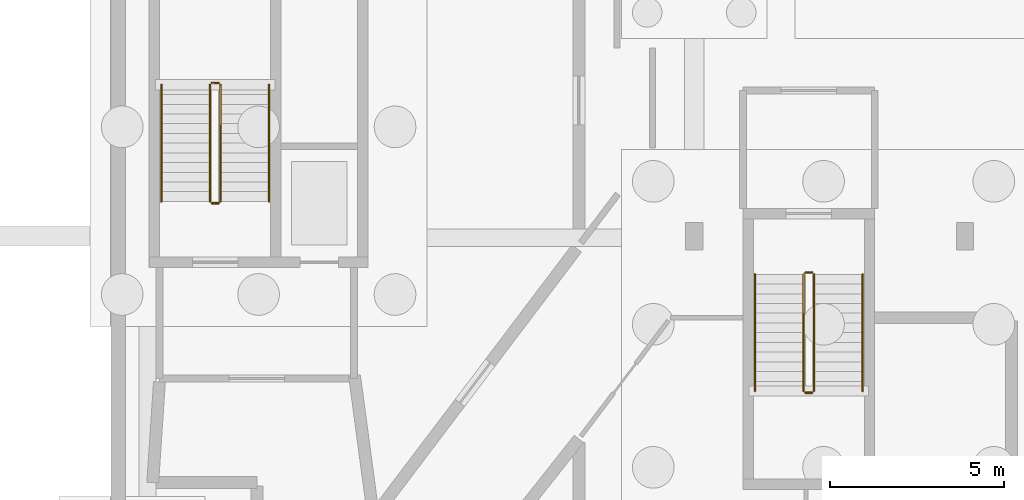
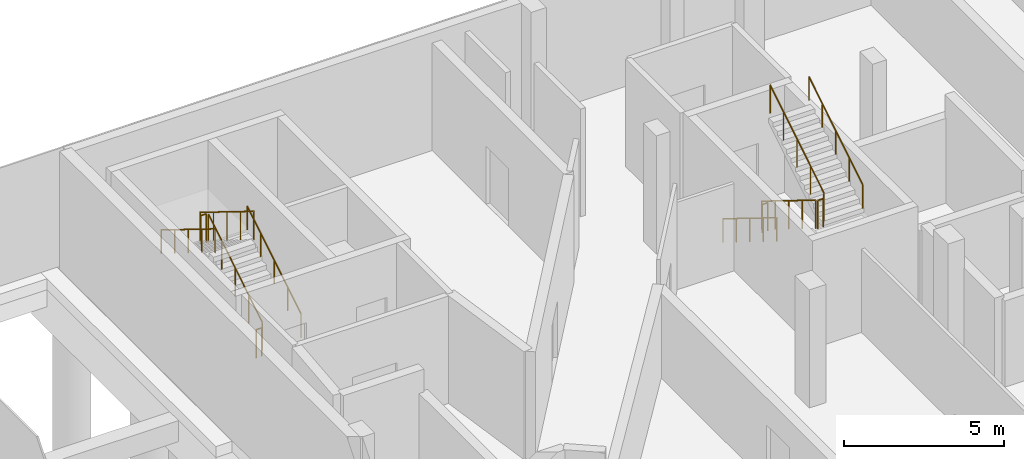
# One storey, part 34 of 40: 12 railings.
"""IFC4 building model written with IfcOpenShell, lengths in metres."""

from ifc_helpers import new_model, si_unit, direction, frame, origin, origin_2d, place, context, subcontext, project, spatial, circle, extrude, material, type_object, element, save


model = new_model("IFC4")

# Units and contexts
model_context = context("Model", 3, precision=1e-05, world=origin(), true_north=direction((0.0, 1.0)))
body_context = subcontext(model_context, "Body", "Model", "MODEL_VIEW")
ifc_project = project(units=[si_unit("LENGTHUNIT", "METRE"), si_unit("AREAUNIT", "SQUARE_METRE"), si_unit("VOLUMEUNIT", "CUBIC_METRE"), si_unit("PLANEANGLEUNIT", "RADIAN"), si_unit("MASSUNIT", "GRAM", prefix="KILO")], contexts=[model_context])

# Site, building, storey
site_placement = place(None, origin())
site = spatial("IfcSite", under=ifc_project, at=site_placement, CompositionType="ELEMENT")
building_placement = place(site_placement, origin())
building = spatial("IfcBuilding", under=site, at=building_placement, Name="Mzevani Central Library", CompositionType="ELEMENT")
storey_placement = place(building_placement, frame((0.0, 0.0, -4.5)))
storey = spatial("IfcBuildingStorey", under=building, at=storey_placement, Name="B1", CompositionType="ELEMENT", Elevation=-4.5)

# Railings
ifc_material = material(Name="Brushed stainless steel rail", Category="steel")
railing_type_1 = type_object("IfcRailingType", Name="Interior Gallery and Stair Guard 1100", PredefinedType="BALUSTRADE", material=ifc_material)
railing_1_placement = place(storey_placement, frame((15.550048828125, 110.60009765625, 0.173095703125)))
element("IfcRailing", 1, at=railing_1_placement, inside=storey, type_object=railing_type_1, Name="B1 ST-03 stair guard 1", PredefinedType="BALUSTRADE", context=body_context, shape_type="SweptSolid", body=[
    extrude(circle(Radius=0.02392578125, at=origin_2d()), frame((0.0, 0.0, 1.076171875), z_axis=(0.0, 0.850606129759, 0.525803396734), x_axis=(-1.0, 0.0, 0.0)), (0.0, 0.0, 1.0), 3.949951171875),
    extrude(circle(Radius=0.02099609375, at=origin_2d()), origin(), (0.0, 0.0, 1.0), 1.052001953125),
    extrude(circle(Radius=0.02099609375, at=origin_2d()), frame((0.0, 0.83984375, 0.519287109375)), (0.0, 0.0, 1.0), 1.052001953125),
    extrude(circle(Radius=0.02099609375, at=origin_2d()), frame((0.0, 1.679931640625, 1.03857421875)), (0.0, 0.0, 1.0), 1.052001953125),
    extrude(circle(Radius=0.02099609375, at=origin_2d()), frame((0.0, 2.52001953125, 1.5576171875)), (0.0, 0.0, 1.0), 1.052001953125),
    extrude(circle(Radius=0.02099609375, at=origin_2d()), frame((0.0, 3.35986328125, 2.076904296875)), (0.0, 0.0, 1.0), 1.052001953125),
])
railing_2_placement = place(storey_placement, frame((15.5, 114.010009765625, 2.25)))
element("IfcRailing", 2, at=railing_2_placement, inside=storey, type_object=railing_type_1, Name="B1 ST-03 stair guard 2", PredefinedType="BALUSTRADE", context=body_context, shape_type="SweptSolid", body=[
    extrude(circle(Radius=0.02392578125, at=origin_2d()), frame((0.0, 0.0, 1.076171875), z_axis=(-1.0, 0.0, 0.0), x_axis=(0.0, -1.0, 0.0)), (0.0, 0.0, 1.0), 0.199951171875),
    extrude(circle(Radius=0.02099609375, at=origin_2d()), origin(), (0.0, 0.0, 1.0), 1.052001953125),
    extrude(circle(Radius=0.02099609375, at=origin_2d()), frame((-0.199951171875, 0.0, 0.0)), (0.0, 0.0, 1.0), 1.052001953125),
])
railing_3_placement = place(storey_placement, frame((15.25, 113.9599609375, 2.423095703125)))
element("IfcRailing", 3, at=railing_3_placement, inside=storey, type_object=railing_type_1, Name="B1 ST-03 stair guard 3", PredefinedType="BALUSTRADE", context=body_context, shape_type="SweptSolid", body=[
    extrude(circle(Radius=0.02392578125, at=origin_2d()), frame((0.0, 0.0, 1.076171875), z_axis=(0.0, -0.850606129759, 0.525803396734), x_axis=(1.0, 0.0, 0.0)), (0.0, 0.0, 1.0), 3.949951171875),
    extrude(circle(Radius=0.02099609375, at=origin_2d()), origin(), (0.0, 0.0, 1.0), 1.052001953125),
    extrude(circle(Radius=0.02099609375, at=origin_2d()), frame((0.0, -0.83984375, 0.519287109375)), (0.0, 0.0, 1.0), 1.052001953125),
    extrude(circle(Radius=0.02099609375, at=origin_2d()), frame((0.0, -1.679931640625, 1.03857421875)), (0.0, 0.0, 1.0), 1.052001953125),
    extrude(circle(Radius=0.02099609375, at=origin_2d()), frame((0.0, -2.52001953125, 1.5576171875)), (0.0, 0.0, 1.0), 1.052001953125),
    extrude(circle(Radius=0.02099609375, at=origin_2d()), frame((0.0, -3.35986328125, 2.076904296875)), (0.0, 0.0, 1.0), 1.052001953125),
])
railing_4_placement = place(storey_placement, frame((15.5, 110.550048828125, 0.0)))
element("IfcRailing", 4, at=railing_4_placement, inside=storey, type_object=railing_type_1, Name="B1 ST-03 stair guard 4", PredefinedType="BALUSTRADE", context=body_context, shape_type="SweptSolid", body=[
    extrude(circle(Radius=0.02392578125, at=origin_2d()), frame((0.0, 0.0, 1.076171875), z_axis=(-1.0, 0.0, 0.0), x_axis=(0.0, -1.0, 0.0)), (0.0, 0.0, 1.0), 0.199951171875),
    extrude(circle(Radius=0.02099609375, at=origin_2d()), origin(), (0.0, 0.0, 1.0), 1.052001953125),
    extrude(circle(Radius=0.02099609375, at=origin_2d()), frame((-0.199951171875, 0.0, 0.0)), (0.0, 0.0, 1.0), 1.052001953125),
])
railing_5_placement = place(storey_placement, frame((32.35009765625, 108.5, 0.173095703125)))
element("IfcRailing", 5, at=railing_5_placement, inside=storey, type_object=railing_type_1, Name="B1 ST-04 stair guard 1", PredefinedType="BALUSTRADE", context=body_context, shape_type="SweptSolid", body=[
    extrude(circle(Radius=0.02392578125, at=origin_2d()), frame((0.0, 0.0, 1.076171875), z_axis=(0.0, -0.850623216509, 0.525775754039), x_axis=(1.0, 0.0, 0.0)), (0.0, 0.0, 1.0), 3.9501953125),
    extrude(circle(Radius=0.02099609375, at=origin_2d()), origin(), (0.0, 0.0, 1.0), 1.052001953125),
    extrude(circle(Radius=0.02099609375, at=origin_2d()), frame((0.0, -0.840087890625, 0.519287109375)), (0.0, 0.0, 1.0), 1.052001953125),
    extrude(circle(Radius=0.02099609375, at=origin_2d()), frame((0.0, -1.68017578125, 1.03857421875)), (0.0, 0.0, 1.0), 1.052001953125),
    extrude(circle(Radius=0.02099609375, at=origin_2d()), frame((0.0, -2.52001953125, 1.5576171875)), (0.0, 0.0, 1.0), 1.052001953125),
    extrude(circle(Radius=0.02099609375, at=origin_2d()), frame((0.0, -3.360107421875, 2.076904296875)), (0.0, 0.0, 1.0), 1.052001953125),
])
railing_6_placement = place(storey_placement, frame((32.39990234375, 105.090087890625, 2.25)))
element("IfcRailing", 6, at=railing_6_placement, inside=storey, type_object=railing_type_1, Name="B1 ST-04 stair guard 2", PredefinedType="BALUSTRADE", context=body_context, shape_type="SweptSolid", body=[
    extrude(circle(Radius=0.02392578125, at=origin_2d()), frame((0.0, 0.0, 1.076171875), z_axis=(1.0, 0.0, 0.0), x_axis=(0.0, 1.0, 0.0)), (0.0, 0.0, 1.0), 0.2001953125),
    extrude(circle(Radius=0.02099609375, at=origin_2d()), origin(), (0.0, 0.0, 1.0), 1.052001953125),
    extrude(circle(Radius=0.02099609375, at=origin_2d()), frame((0.2001953125, 0.0, 0.0)), (0.0, 0.0, 1.0), 1.052001953125),
])
railing_7_placement = place(storey_placement, frame((32.64990234375, 105.139892578125, 2.423095703125)))
element("IfcRailing", 7, at=railing_7_placement, inside=storey, type_object=railing_type_1, Name="B1 ST-04 stair guard 3", PredefinedType="BALUSTRADE", context=body_context, shape_type="SweptSolid", body=[
    extrude(circle(Radius=0.02392578125, at=origin_2d()), frame((0.0, 0.0, 1.076171875), z_axis=(0.0, 0.850623216509, 0.525775754039), x_axis=(-1.0, 0.0, 0.0)), (0.0, 0.0, 1.0), 3.9501953125),
    extrude(circle(Radius=0.02099609375, at=origin_2d()), origin(), (0.0, 0.0, 1.0), 1.052001953125),
    extrude(circle(Radius=0.02099609375, at=origin_2d()), frame((0.0, 0.840087890625, 0.519287109375)), (0.0, 0.0, 1.0), 1.052001953125),
    extrude(circle(Radius=0.02099609375, at=origin_2d()), frame((0.0, 1.68017578125, 1.03857421875)), (0.0, 0.0, 1.0), 1.052001953125),
    extrude(circle(Radius=0.02099609375, at=origin_2d()), frame((0.0, 2.52001953125, 1.5576171875)), (0.0, 0.0, 1.0), 1.052001953125),
    extrude(circle(Radius=0.02099609375, at=origin_2d()), frame((0.0, 3.360107421875, 2.076904296875)), (0.0, 0.0, 1.0), 1.052001953125),
])
railing_8_placement = place(storey_placement, frame((32.39990234375, 108.550048828125, 0.0)))
element("IfcRailing", 8, at=railing_8_placement, inside=storey, type_object=railing_type_1, Name="B1 ST-04 stair guard 4", PredefinedType="BALUSTRADE", context=body_context, shape_type="SweptSolid", body=[
    extrude(circle(Radius=0.02392578125, at=origin_2d()), frame((0.0, 0.0, 1.076171875), z_axis=(1.0, 0.0, 0.0), x_axis=(0.0, 1.0, 0.0)), (0.0, 0.0, 1.0), 0.2001953125),
    extrude(circle(Radius=0.02099609375, at=origin_2d()), origin(), (0.0, 0.0, 1.0), 1.052001953125),
    extrude(circle(Radius=0.02099609375, at=origin_2d()), frame((0.2001953125, 0.0, 0.0)), (0.0, 0.0, 1.0), 1.052001953125),
])
railing_type_2 = type_object("IfcRailingType", Name="Stair Wall Handrail 920", PredefinedType="HANDRAIL", material=ifc_material)
railing_9_placement = place(storey_placement, frame((16.949951171875, 110.60009765625, 0.173095703125)))
element("IfcRailing", 9, at=railing_9_placement, inside=storey, type_object=railing_type_2, Name="B1 ST-03 stair handrail 1", PredefinedType="HANDRAIL", context=body_context, shape_type="SweptSolid", body=[
    extrude(circle(Radius=0.02392578125, at=origin_2d()), frame((0.0, 0.0, 0.89599609375), z_axis=(0.0, 0.850606129759, 0.525803396734), x_axis=(-1.0, 0.0, 0.0)), (0.0, 0.0, 1.0), 3.949951171875),
    extrude(circle(Radius=0.02099609375, at=origin_2d()), origin(), (0.0, 0.0, 1.0), 0.871826171875),
    extrude(circle(Radius=0.02099609375, at=origin_2d()), frame((0.0, 0.83984375, 0.519287109375)), (0.0, 0.0, 1.0), 0.871826171875),
    extrude(circle(Radius=0.02099609375, at=origin_2d()), frame((0.0, 1.679931640625, 1.03857421875)), (0.0, 0.0, 1.0), 0.871826171875),
    extrude(circle(Radius=0.02099609375, at=origin_2d()), frame((0.0, 2.52001953125, 1.5576171875)), (0.0, 0.0, 1.0), 0.871826171875),
    extrude(circle(Radius=0.02099609375, at=origin_2d()), frame((0.0, 3.35986328125, 2.076904296875)), (0.0, 0.0, 1.0), 0.871826171875),
])
railing_10_placement = place(storey_placement, frame((13.85009765625, 113.9599609375, 2.423095703125)))
element("IfcRailing", 10, at=railing_10_placement, inside=storey, type_object=railing_type_2, Name="B1 ST-03 stair handrail 2", PredefinedType="HANDRAIL", context=body_context, shape_type="SweptSolid", body=[
    extrude(circle(Radius=0.02392578125, at=origin_2d()), frame((0.0, 0.0, 0.89599609375), z_axis=(0.0, -0.850606129759, 0.525803396734), x_axis=(1.0, 0.0, 0.0)), (0.0, 0.0, 1.0), 3.949951171875),
    extrude(circle(Radius=0.02099609375, at=origin_2d()), origin(), (0.0, 0.0, 1.0), 0.871826171875),
    extrude(circle(Radius=0.02099609375, at=origin_2d()), frame((0.0, -0.83984375, 0.519287109375)), (0.0, 0.0, 1.0), 0.871826171875),
    extrude(circle(Radius=0.02099609375, at=origin_2d()), frame((0.0, -1.679931640625, 1.03857421875)), (0.0, 0.0, 1.0), 0.871826171875),
    extrude(circle(Radius=0.02099609375, at=origin_2d()), frame((0.0, -2.52001953125, 1.5576171875)), (0.0, 0.0, 1.0), 0.871826171875),
    extrude(circle(Radius=0.02099609375, at=origin_2d()), frame((0.0, -3.35986328125, 2.076904296875)), (0.0, 0.0, 1.0), 0.871826171875),
])
railing_11_placement = place(storey_placement, frame((30.949951171875, 108.5, 0.173095703125)))
element("IfcRailing", 11, at=railing_11_placement, inside=storey, type_object=railing_type_2, Name="B1 ST-04 stair handrail 1", PredefinedType="HANDRAIL", context=body_context, shape_type="SweptSolid", body=[
    extrude(circle(Radius=0.02392578125, at=origin_2d()), frame((0.0, 0.0, 0.89599609375), z_axis=(0.0, -0.850623216509, 0.525775754039), x_axis=(1.0, 0.0, 0.0)), (0.0, 0.0, 1.0), 3.9501953125),
    extrude(circle(Radius=0.02099609375, at=origin_2d()), origin(), (0.0, 0.0, 1.0), 0.871826171875),
    extrude(circle(Radius=0.02099609375, at=origin_2d()), frame((0.0, -0.840087890625, 0.519287109375)), (0.0, 0.0, 1.0), 0.871826171875),
    extrude(circle(Radius=0.02099609375, at=origin_2d()), frame((0.0, -1.68017578125, 1.03857421875)), (0.0, 0.0, 1.0), 0.871826171875),
    extrude(circle(Radius=0.02099609375, at=origin_2d()), frame((0.0, -2.52001953125, 1.5576171875)), (0.0, 0.0, 1.0), 0.871826171875),
    extrude(circle(Radius=0.02099609375, at=origin_2d()), frame((0.0, -3.360107421875, 2.076904296875)), (0.0, 0.0, 1.0), 0.871826171875),
])
railing_12_placement = place(storey_placement, frame((34.050048828125, 105.139892578125, 2.423095703125)))
element("IfcRailing", 12, at=railing_12_placement, inside=storey, type_object=railing_type_2, Name="B1 ST-04 stair handrail 2", PredefinedType="HANDRAIL", context=body_context, shape_type="SweptSolid", body=[
    extrude(circle(Radius=0.02392578125, at=origin_2d()), frame((0.0, 0.0, 0.89599609375), z_axis=(0.0, 0.850623216509, 0.525775754039), x_axis=(-1.0, 0.0, 0.0)), (0.0, 0.0, 1.0), 3.9501953125),
    extrude(circle(Radius=0.02099609375, at=origin_2d()), origin(), (0.0, 0.0, 1.0), 0.871826171875),
    extrude(circle(Radius=0.02099609375, at=origin_2d()), frame((0.0, 0.840087890625, 0.519287109375)), (0.0, 0.0, 1.0), 0.871826171875),
    extrude(circle(Radius=0.02099609375, at=origin_2d()), frame((0.0, 1.68017578125, 1.03857421875)), (0.0, 0.0, 1.0), 0.871826171875),
    extrude(circle(Radius=0.02099609375, at=origin_2d()), frame((0.0, 2.52001953125, 1.5576171875)), (0.0, 0.0, 1.0), 0.871826171875),
    extrude(circle(Radius=0.02099609375, at=origin_2d()), frame((0.0, 3.360107421875, 2.076904296875)), (0.0, 0.0, 1.0), 0.871826171875),
])

save(model, "model.ifc")
